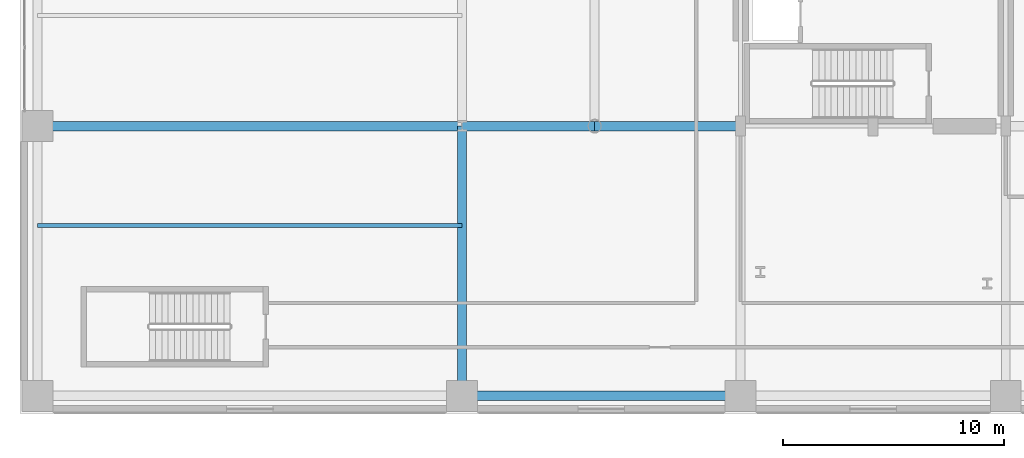
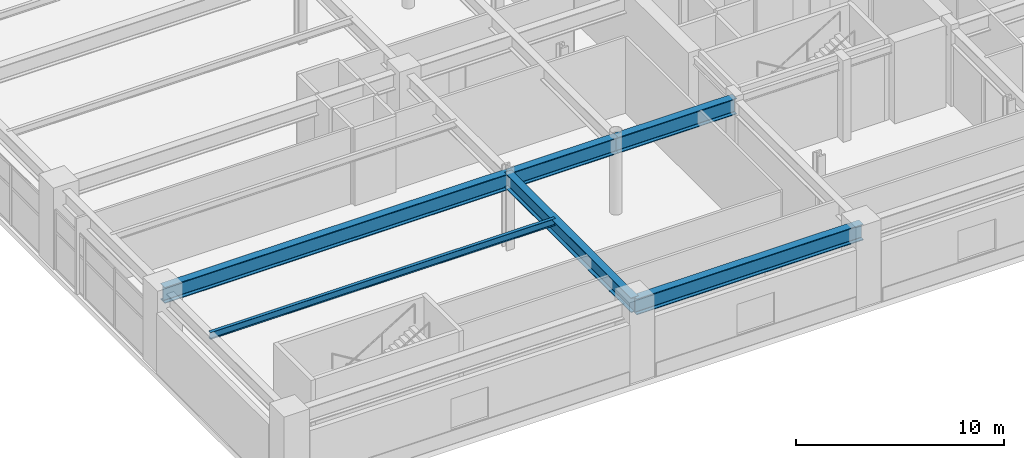
# One storey, part 6 of 28: 6 beams.
"""IFC4 building model written with IfcOpenShell, lengths in metres."""

from ifc_helpers import new_model, si_unit, direction, frame, origin, origin_2d, place, context, subcontext, project, spatial, i_section, extrude, material, material_profile, profile_set, type_object, element, save


model = new_model("IFC4")

# Units and contexts
model_context = context("Model", 3, precision=1e-05, world=origin(), true_north=direction((0.0, 1.0)))
body_context = subcontext(model_context, "Body", "Model", "MODEL_VIEW")
ifc_project = project(units=[si_unit("LENGTHUNIT", "METRE"), si_unit("AREAUNIT", "SQUARE_METRE"), si_unit("VOLUMEUNIT", "CUBIC_METRE"), si_unit("PLANEANGLEUNIT", "RADIAN"), si_unit("MASSUNIT", "GRAM", prefix="KILO")], contexts=[model_context])

# Site, building, storey
site_placement = place(None, origin())
site = spatial("IfcSite", under=ifc_project, at=site_placement, CompositionType="ELEMENT")
building_placement = place(site_placement, origin())
building = spatial("IfcBuilding", under=site, at=building_placement, Name="Soratama Intermodal Tower", CompositionType="ELEMENT")
storey_placement = place(building_placement, frame((0.0, 0.0, 11.39990234375)))
storey = spatial("IfcBuildingStorey", under=building, at=storey_placement, Name="L02", CompositionType="ELEMENT", Elevation=11.39990234375)

# Beams
ifc_material_1 = material(Name="Structural steel ASTM A992 Grade 50", Category="steel")
ifc_material_profile_1 = material_profile(ifc_material_1, i_section(OverallWidth=0.177978515625, OverallDepth=0.406982421875, WebThickness=0.0078125, FlangeThickness=0.0126953125, FilletRadius=0.010009765625, at=origin_2d()), Name="W16X40")
ifc_profile_set_1 = profile_set([ifc_material_profile_1], Name="Structural steel ASTM A992 Grade 50")
beam_type_1 = type_object("IfcBeamType", Name="BM-JST-W16X40", PredefinedType="JOIST", material=ifc_profile_set_1)
beam_1_placement = place(storey_placement, frame((0.800048828125, 10.5, 4.276611328125), z_axis=(1.0, 0.0, 0.0), x_axis=(0.0, 1.0, 0.0)))
element("IfcBeam", 1, at=beam_1_placement, inside=storey, type_object=beam_type_1, Name="JST-L02-W1", PredefinedType="JOIST", context=body_context, shape_type="SweptSolid", body=[
    extrude(i_section(OverallWidth=0.177978515625, OverallDepth=0.406982421875, WebThickness=0.0078125, FlangeThickness=0.0126953125, FilletRadius=0.010009765625, at=origin_2d()), origin(), (0.0, 0.0, 1.0), 19.199951171875),
])
ifc_material_2 = material(Name="Structural steel ASTM A992 Grade 50", Category="steel")
ifc_material_profile_2 = material_profile(ifc_material_2, i_section(OverallWidth=0.423095703125, OverallDepth=0.93896484375, WebThickness=0.02392578125, FlangeThickness=0.042724609375, FilletRadius=0.02392578125, at=origin_2d()), Name="W36X302")
ifc_profile_set_2 = profile_set([ifc_material_profile_2], Name="Structural steel ASTM A992 Grade 50")
beam_type_2 = type_object("IfcBeamType", Name="BM-POD-EXT-W36", PredefinedType="BEAM", material=ifc_profile_set_2)
beam_2_placement = place(storey_placement, frame((20.0, 2.800048828125, 4.010498046875), z_axis=(1.0, 0.0, 0.0), x_axis=(0.0, 1.0, 0.0)))
element("IfcBeam", 2, at=beam_2_placement, inside=storey, type_object=beam_type_2, Name="L02 Station Girder X1-2", PredefinedType="BEAM", context=body_context, shape_type="SweptSolid", body=[
    extrude(i_section(OverallWidth=0.423095703125, OverallDepth=0.93896484375, WebThickness=0.02392578125, FlangeThickness=0.042724609375, FilletRadius=0.02392578125, at=origin_2d()), origin(), (0.0, 0.0, 1.0), 12.60009765625),
])
ifc_material_3 = material(Name="Structural steel ASTM A992 Grade 50", Category="steel")
ifc_material_profile_3 = material_profile(ifc_material_3, i_section(OverallWidth=0.403076171875, OverallDepth=0.867919921875, WebThickness=0.02099609375, FlangeThickness=0.03564453125, FilletRadius=0.01806640625, at=origin_2d()), Name="W33X241")
ifc_profile_set_3 = profile_set([ifc_material_profile_3], Name="Structural steel ASTM A992 Grade 50")
beam_type_3 = type_object("IfcBeamType", Name="BM-POD-W33X241", PredefinedType="BEAM", material=ifc_profile_set_3)
beam_3_placement = place(storey_placement, frame((20.0, 2.800048828125, 4.046142578125), z_axis=(0.0, 1.0, 0.0), x_axis=(-1.0, 0.0, 0.0)))
element("IfcBeam", 3, at=beam_3_placement, inside=storey, type_object=beam_type_3, Name="L02 Station Girder Y2-1", PredefinedType="BEAM", context=body_context, shape_type="SweptSolid", body=[
    extrude(i_section(OverallWidth=0.403076171875, OverallDepth=0.867919921875, WebThickness=0.02099609375, FlangeThickness=0.03564453125, FilletRadius=0.01806640625, at=origin_2d()), origin(), (0.0, 0.0, 1.0), 12.199951171875),
])
ifc_material_4 = material(Name="Structural steel ASTM A992 Grade 50", Category="steel")
ifc_material_profile_4 = material_profile(ifc_material_4, i_section(OverallWidth=0.423095703125, OverallDepth=0.93896484375, WebThickness=0.02392578125, FlangeThickness=0.042724609375, FilletRadius=0.02392578125, at=origin_2d()), Name="W36X302")
ifc_profile_set_4 = profile_set([ifc_material_profile_4], Name="Structural steel ASTM A992 Grade 50")
beam_type_4 = type_object("IfcBeamType", Name="BM-POD-W36X302", PredefinedType="BEAM", material=ifc_profile_set_4)
beam_4_placement = place(storey_placement, frame((0.800048828125, 15.0, 4.010498046875), z_axis=(1.0, 0.0, 0.0), x_axis=(0.0, 1.0, 0.0)))
element("IfcBeam", 4, at=beam_4_placement, inside=storey, type_object=beam_type_4, Name="L02 Station Girder X2-1", PredefinedType="BEAM", context=body_context, shape_type="SweptSolid", body=[
    extrude(i_section(OverallWidth=0.423095703125, OverallDepth=0.93896484375, WebThickness=0.02392578125, FlangeThickness=0.042724609375, FilletRadius=0.02392578125, at=origin_2d()), origin(), (0.0, 0.0, 1.0), 19.199951171875),
])
beam_5_placement = place(storey_placement, frame((20.0, 15.0, 4.010498046875), z_axis=(1.0, 0.0, 0.0), x_axis=(0.0, 1.0, 0.0)))
element("IfcBeam", 5, at=beam_5_placement, inside=storey, type_object=beam_type_4, Name="L02 Station Girder X2-2", PredefinedType="BEAM", context=body_context, shape_type="SweptSolid", body=[
    extrude(i_section(OverallWidth=0.423095703125, OverallDepth=0.93896484375, WebThickness=0.02392578125, FlangeThickness=0.042724609375, FilletRadius=0.02392578125, at=origin_2d()), origin(), (0.0, 0.0, 1.0), 6.0),
])
beam_6_placement = place(storey_placement, frame((26.0, 15.0, 4.010498046875), z_axis=(1.0, 0.0, 0.0), x_axis=(0.0, 1.0, 0.0)))
element("IfcBeam", 6, at=beam_6_placement, inside=storey, type_object=beam_type_4, Name="L02 Station Girder X2-3", PredefinedType="BEAM", context=body_context, shape_type="SweptSolid", body=[
    extrude(i_section(OverallWidth=0.423095703125, OverallDepth=0.93896484375, WebThickness=0.02392578125, FlangeThickness=0.042724609375, FilletRadius=0.02392578125, at=origin_2d()), origin(), (0.0, 0.0, 1.0), 6.60009765625),
])

save(model, "model.ifc")
